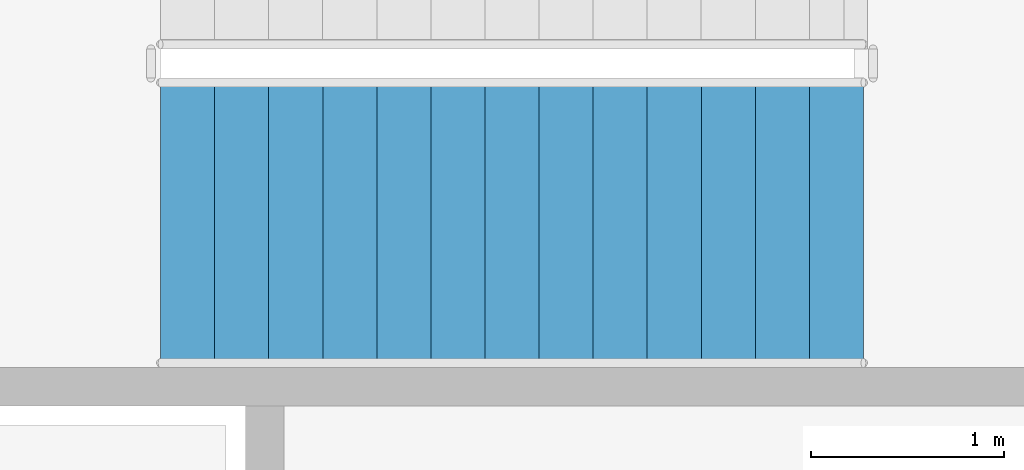
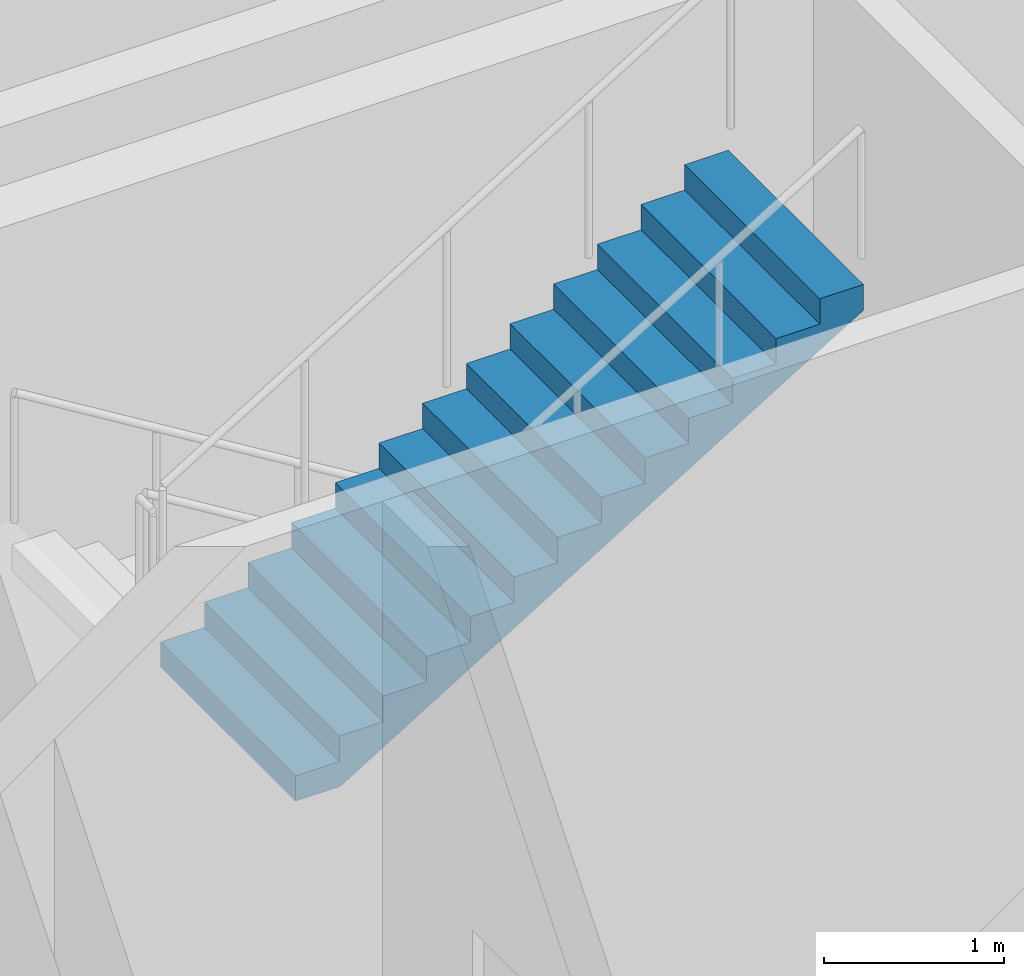
# One storey, part 57 of 91: 1 stair flight, 1 element without a shape of its own.
"""IFC4 building model written with IfcOpenShell, lengths in metres."""

from ifc_helpers import new_model, si_unit, direction, frame, origin, place, context, subcontext, project, spatial, triangles, material, type_object, element, aggregate, save


model = new_model("IFC4")

# Units and contexts
model_context = context("Model", 3, precision=1e-05, world=origin(), true_north=direction((0.0, 1.0)))
body_context = subcontext(model_context, "Body", "Model", "MODEL_VIEW")
ifc_project = project(units=[si_unit("LENGTHUNIT", "METRE"), si_unit("AREAUNIT", "SQUARE_METRE"), si_unit("VOLUMEUNIT", "CUBIC_METRE"), si_unit("PLANEANGLEUNIT", "RADIAN"), si_unit("MASSUNIT", "GRAM", prefix="KILO")], contexts=[model_context])

# Site, building, storey
site_placement = place(None, origin())
site = spatial("IfcSite", under=ifc_project, at=site_placement, CompositionType="ELEMENT")
building_placement = place(site_placement, origin())
building = spatial("IfcBuilding", under=site, at=building_placement, Name="Magnolia Steps Interchange", CompositionType="ELEMENT")
storey_placement = place(building_placement, origin())
storey = spatial("IfcBuildingStorey", under=building, at=storey_placement, Name="L00", CompositionType="ELEMENT", Elevation=0.0)

# Stair, stair flight
ifc_material_1 = material(Name="Concrete C40", Category="concrete")
stair_type = type_object("IfcStairType", Name="Exit stair 1500", PredefinedType="HALF_TURN_STAIR", material=ifc_material_1)
stair_placement = place(storey_placement, origin())
stair = element("IfcStair", 1, at=stair_placement, inside=storey, type_object=stair_type, Name="L00 Stair 6", PredefinedType="HALF_TURN_STAIR")
ifc_material_2 = material(Name="Concrete C40", Category="concrete")
stair_flight_type = type_object("IfcStairFlightType", Name="Exit stair flight", PredefinedType="STRAIGHT", material=ifc_material_2)
stair_flight_placement = place(storey_placement, frame((55.360107421875, 50.300048828125, 2.39990234375), z_axis=(0.0, 0.0, 1.0), x_axis=(1.0, 0.0, 0.0)))
stair_flight = element("IfcStairFlight", 2, at=stair_flight_placement, type_object=stair_flight_type, Name="Stair 6 flight 2", NumberOfRisers=14, NumberOfTreads=13, PredefinedType="STRAIGHT", RiserHeight=0.171428571, TreadLength=0.28, context=body_context, shape_type="Tessellation", body=[
    triangles([(0.0, -0.75, 0.0), (0.287109375, -0.75, 0.0), (3.639892578125, -0.75, 2.052734375), (3.639892578125, -0.75, 2.228515625), (3.360107421875, -0.75, 2.228515625), (3.360107421875, -0.75, 2.05712890625), (3.080078125, -0.75, 2.05712890625), (3.080078125, -0.75, 1.8857421875), (2.800048828125, -0.75, 1.8857421875), (2.800048828125, -0.75, 1.71435546875), (2.52001953125, -0.75, 1.71435546875), (2.52001953125, -0.75, 1.54296875), (2.239990234375, -0.75, 1.54296875), (2.239990234375, -0.75, 1.371337890625), (1.9599609375, -0.75, 1.371337890625), (1.9599609375, -0.75, 1.199951171875), (1.679931640625, -0.75, 1.199951171875), (1.679931640625, -0.75, 1.028564453125), (1.39990234375, -0.75, 1.028564453125), (1.39990234375, -0.75, 0.857177734375), (1.1201171875, -0.75, 0.857177734375), (1.1201171875, -0.75, 0.685791015625), (0.840087890625, -0.75, 0.685791015625), (0.840087890625, -0.75, 0.514404296875), (0.56005859375, -0.75, 0.514404296875), (0.56005859375, -0.75, 0.3427734375), (0.280029296875, -0.75, 0.3427734375), (0.280029296875, -0.75, 0.17138671875), (0.0, -0.75, 0.17138671875), (0.0, 0.75, 0.0), (0.287109375, 0.75, 0.0), (3.639892578125, 0.75, 2.052734375), (3.639892578125, 0.75, 2.228515625), (3.360107421875, 0.75, 2.228515625), (3.360107421875, 0.75, 2.05712890625), (3.080078125, 0.75, 2.05712890625), (3.080078125, 0.75, 1.8857421875), (2.800048828125, 0.75, 1.8857421875), (2.800048828125, 0.75, 1.71435546875), (2.52001953125, 0.75, 1.71435546875), (2.52001953125, 0.75, 1.54296875), (2.239990234375, 0.75, 1.54296875), (2.239990234375, 0.75, 1.371337890625), (1.9599609375, 0.75, 1.371337890625), (1.9599609375, 0.75, 1.199951171875), (1.679931640625, 0.75, 1.199951171875), (1.679931640625, 0.75, 1.028564453125), (1.39990234375, 0.75, 1.028564453125), (1.39990234375, 0.75, 0.857177734375), (1.1201171875, 0.75, 0.857177734375), (1.1201171875, 0.75, 0.685791015625), (0.840087890625, 0.75, 0.685791015625), (0.840087890625, 0.75, 0.514404296875), (0.56005859375, 0.75, 0.514404296875), (0.56005859375, 0.75, 0.3427734375), (0.280029296875, 0.75, 0.3427734375), (0.280029296875, 0.75, 0.17138671875), (0.0, 0.75, 0.17138671875), (0.0, 0.0, 0.0), (0.0, 0.0, 0.0428466796875), (0.0, 0.0, 0.085693359375), (0.0, 0.0, 0.1285400390625), (0.0, 0.0, 0.17138671875), (0.0, -0.05, 0.0), (0.0, -0.05, 0.17138671875), (0.0, 0.05, 0.0), (0.0, 0.05, 0.17138671875), (0.046671549479166664, 0.0, 0.17138671875), (0.09334309895833333, 0.0, 0.17138671875), (0.1400146484375, 0.0, 0.17138671875), (0.18668619791666666, 0.0, 0.17138671875), (0.23335774739583334, 0.0, 0.17138671875), (0.280029296875, 0.0, 0.17138671875), (0.280029296875, -0.05, 0.17138671875), (0.280029296875, 0.05, 0.17138671875), (0.280029296875, 0.0, 0.2142333984375), (0.280029296875, 0.0, 0.257080078125), (0.280029296875, 0.0, 0.2999267578125), (0.280029296875, 0.0, 0.3427734375), (0.280029296875, -0.05, 0.3427734375), (0.280029296875, 0.05, 0.3427734375), (0.3267008463541667, 0.0, 0.3427734375), (0.3733723958333333, 0.0, 0.3427734375), (0.4200439453125, 0.0, 0.3427734375), (0.46671549479166663, 0.0, 0.3427734375), (0.5133870442708334, 0.0, 0.3427734375), (0.56005859375, 0.0, 0.3427734375), (0.56005859375, -0.05, 0.3427734375), (0.56005859375, 0.05, 0.3427734375), (0.56005859375, 0.0, 0.38568115234375), (0.56005859375, 0.0, 0.4285888671875), (0.56005859375, 0.0, 0.47149658203125), (0.56005859375, 0.0, 0.514404296875), (0.56005859375, -0.05, 0.514404296875), (0.56005859375, 0.05, 0.514404296875), (0.6067301432291666, 0.0, 0.514404296875), (0.6534016927083334, 0.0, 0.514404296875), (0.7000732421875, 0.0, 0.514404296875), (0.7467447916666666, 0.0, 0.514404296875), (0.7934163411458334, 0.0, 0.514404296875), (0.840087890625, 0.0, 0.514404296875), (0.840087890625, -0.05, 0.514404296875), (0.840087890625, 0.05, 0.514404296875), (0.840087890625, 0.0, 0.5572509765625), (0.840087890625, 0.0, 0.60009765625), (0.840087890625, 0.0, 0.6429443359375), (0.840087890625, 0.0, 0.685791015625), (0.840087890625, -0.05, 0.685791015625), (0.840087890625, 0.05, 0.685791015625), (0.8867594401041666, 0.0, 0.685791015625), (0.9334309895833334, 0.0, 0.685791015625), (0.9801025390625, 0.0, 0.685791015625), (1.0267740885416667, 0.0, 0.685791015625), (1.0734456380208333, 0.0, 0.685791015625), (1.1201171875, 0.0, 0.685791015625), (1.1201171875, -0.05, 0.685791015625), (1.1201171875, 0.05, 0.685791015625), (1.1201171875, 0.0, 0.7286376953125), (1.1201171875, 0.0, 0.771484375), (1.1201171875, 0.0, 0.8143310546875), (1.1201171875, 0.0, 0.857177734375), (1.1201171875, -0.05, 0.857177734375), (1.1201171875, 0.05, 0.857177734375), (1.1900634765625, 0.0, 0.857177734375), (1.260009765625, 0.0, 0.857177734375), (1.3299560546875, 0.0, 0.857177734375), (1.39990234375, 0.0, 0.857177734375), (1.39990234375, -0.05, 0.857177734375), (1.39990234375, 0.05, 0.857177734375), (1.39990234375, 0.0, 0.9000244140625), (1.39990234375, 0.0, 0.94287109375), (1.39990234375, 0.0, 0.9857177734375), (1.39990234375, 0.0, 1.028564453125), (1.39990234375, -0.05, 1.028564453125), (1.39990234375, 0.05, 1.028564453125), (1.4465738932291667, 0.0, 1.028564453125), (1.4932454427083333, 0.0, 1.028564453125), (1.5399169921875, 0.0, 1.028564453125), (1.5865885416666667, 0.0, 1.028564453125), (1.6332600911458333, 0.0, 1.028564453125), (1.679931640625, 0.0, 1.028564453125), (1.679931640625, -0.05, 1.028564453125), (1.679931640625, 0.05, 1.028564453125), (1.679931640625, 0.0, 1.0714111328125), (1.679931640625, 0.0, 1.1142578125), (1.679931640625, 0.0, 1.1571044921875), (1.679931640625, 0.0, 1.199951171875), (1.679931640625, -0.05, 1.199951171875), (1.679931640625, 0.05, 1.199951171875), (1.7266031901041667, 0.0, 1.199951171875), (1.7732747395833333, 0.0, 1.199951171875), (1.8199462890625, 0.0, 1.199951171875), (1.8666178385416667, 0.0, 1.199951171875), (1.9132893880208333, 0.0, 1.199951171875), (1.9599609375, 0.0, 1.199951171875), (1.9599609375, -0.05, 1.199951171875), (1.9599609375, 0.05, 1.199951171875), (1.9599609375, 0.0, 1.2427978515625), (1.9599609375, 0.0, 1.28564453125), (1.9599609375, 0.0, 1.3284912109375), (1.9599609375, 0.0, 1.371337890625), (1.9599609375, -0.05, 1.371337890625), (1.9599609375, 0.05, 1.371337890625), (2.0066324869791665, 0.0, 1.371337890625), (2.0533040364583335, 0.0, 1.371337890625), (2.0999755859375, 0.0, 1.371337890625), (2.1466471354166665, 0.0, 1.371337890625), (2.1933186848958335, 0.0, 1.371337890625), (2.239990234375, 0.0, 1.371337890625), (2.239990234375, -0.05, 1.371337890625), (2.239990234375, 0.05, 1.371337890625), (2.239990234375, 0.0, 1.41424560546875), (2.239990234375, 0.0, 1.4571533203125), (2.239990234375, 0.0, 1.50006103515625), (2.239990234375, 0.0, 1.54296875), (2.239990234375, -0.05, 1.54296875), (2.239990234375, 0.05, 1.54296875), (2.2866617838541665, 0.0, 1.54296875), (2.3333333333333335, 0.0, 1.54296875), (2.3800048828125, 0.0, 1.54296875), (2.4266764322916665, 0.0, 1.54296875), (2.4733479817708335, 0.0, 1.54296875), (2.52001953125, 0.0, 1.54296875), (2.52001953125, -0.05, 1.54296875), (2.52001953125, 0.05, 1.54296875), (2.52001953125, 0.0, 1.5858154296875), (2.52001953125, 0.0, 1.628662109375), (2.52001953125, 0.0, 1.6715087890625), (2.52001953125, 0.0, 1.71435546875), (2.52001953125, -0.05, 1.71435546875), (2.52001953125, 0.05, 1.71435546875), (2.5666910807291665, 0.0, 1.71435546875), (2.6133626302083335, 0.0, 1.71435546875), (2.6600341796875, 0.0, 1.71435546875), (2.7067057291666665, 0.0, 1.71435546875), (2.7533772786458335, 0.0, 1.71435546875), (2.800048828125, 0.0, 1.71435546875), (2.800048828125, -0.05, 1.71435546875), (2.800048828125, 0.05, 1.71435546875), (2.800048828125, 0.0, 1.7572021484375), (2.800048828125, 0.0, 1.800048828125), (2.800048828125, 0.0, 1.8428955078125), (2.800048828125, 0.0, 1.8857421875), (2.800048828125, -0.05, 1.8857421875), (2.800048828125, 0.05, 1.8857421875), (2.8467203776041665, 0.0, 1.8857421875), (2.8933919270833335, 0.0, 1.8857421875), (2.9400634765625, 0.0, 1.8857421875), (2.9867350260416665, 0.0, 1.8857421875), (3.0334065755208335, 0.0, 1.8857421875), (3.080078125, 0.0, 1.8857421875), (3.080078125, -0.05, 1.8857421875), (3.080078125, 0.05, 1.8857421875), (3.080078125, 0.0, 1.9285888671875), (3.080078125, 0.0, 1.971435546875), (3.080078125, 0.0, 2.0142822265625), (3.080078125, 0.0, 2.05712890625), (3.080078125, -0.05, 2.05712890625), (3.080078125, 0.05, 2.05712890625), (3.1267496744791665, 0.0, 2.05712890625), (3.1734212239583335, 0.0, 2.05712890625), (3.2200927734375, 0.0, 2.05712890625), (3.2667643229166665, 0.0, 2.05712890625), (3.3134358723958335, 0.0, 2.05712890625), (3.360107421875, 0.0, 2.05712890625), (3.360107421875, -0.05, 2.05712890625), (3.360107421875, 0.05, 2.05712890625), (3.360107421875, 0.0, 2.0999755859375), (3.360107421875, 0.0, 2.142822265625), (3.360107421875, 0.0, 2.1856689453125), (3.360107421875, 0.0, 2.228515625), (3.360107421875, -0.05, 2.228515625), (3.360107421875, 0.05, 2.228515625), (3.4300537109375, 0.0, 2.228515625), (3.5, 0.0, 2.228515625), (3.5699462890625, 0.0, 2.228515625), (3.639892578125, 0.0, 2.228515625), (3.639892578125, -0.05, 2.228515625), (3.639892578125, 0.05, 2.228515625), (3.639892578125, 0.0, 2.1845703125), (3.639892578125, 0.0, 2.140625), (3.639892578125, 0.0, 2.0966796875), (3.639892578125, 0.0, 2.052734375), (3.639892578125, -0.05, 2.052734375), (3.639892578125, 0.05, 2.052734375), (3.582085971174569, 0.0, 2.0173424030172415), (3.524279364224138, 0.0, 1.9819504310344827), (3.466472757273707, 0.0, 1.9465584590517242), (3.408666150323276, 0.0, 1.9111664870689655), (3.3508595433728448, 0.0, 1.8757745150862069), (3.2930529364224137, 0.0, 1.8403825431034484), (3.2352463294719827, 0.0, 1.8049905711206897), (3.1774397225215516, 0.0, 1.769598599137931), (3.1196331155711206, 0.0, 1.7342066271551724), (3.0618265086206895, 0.0, 1.6988146551724137), (3.004019901670259, 0.0, 1.6634226831896552), (2.9462132947198274, 0.0, 1.6280307112068966), (2.888406687769397, 0.0, 1.592638739224138), (2.8306000808189653, 0.0, 1.5572467672413794), (2.7727934738685347, 0.0, 1.5218547952586206), (2.714986866918103, 0.0, 1.486462823275862), (2.6571802599676726, 0.0, 1.4510708512931034), (2.599373653017241, 0.0, 1.4156788793103448), (2.5415670460668105, 0.0, 1.3802869073275863), (2.483760439116379, 0.0, 1.3448949353448276), (2.4259538321659484, 0.0, 1.309502963362069), (2.3681472252155173, 0.0, 1.2741109913793105), (2.3103406182650863, 0.0, 1.2387190193965516), (2.2525340113146552, 0.0, 1.2033270474137931), (2.194727404364224, 0.0, 1.1679350754310345), (2.136920797413793, 0.0, 1.1325431034482758), (2.079114190463362, 0.0, 1.0971511314655173), (2.021307583512931, 0.0, 1.0617591594827587), (1.9635009765625, 0.0, 1.0263671875), (1.905694369612069, 0.0, 0.9909752155172413), (1.847887762661638, 0.0, 0.9555832435344827), (1.7900811557112069, 0.0, 0.9201912715517242), (1.7322745487607758, 0.0, 0.8847992995689655), (1.6744679418103448, 0.0, 0.8494073275862069), (1.6166613348599137, 0.0, 0.8140153556034482), (1.5588547279094827, 0.0, 0.7786233836206897), (1.5010481209590516, 0.0, 0.743231411637931), (1.4432415140086206, 0.0, 0.7078394396551724), (1.3854349070581895, 0.0, 0.6724474676724137), (1.3276283001077585, 0.0, 0.6370554956896552), (1.2698216931573274, 0.0, 0.6016635237068966), (1.2120150862068964, 0.0, 0.5662715517241379), (1.1542084792564653, 0.0, 0.5308795797413792), (1.0964018723060347, 0.0, 0.4954876077586208), (1.0385952653556036, 0.0, 0.4600956357758621), (0.9807886584051726, 0.0, 0.4247036637931034), (0.9229820514547415, 0.0, 0.38931169181034475), (0.8651754445043105, 0.0, 0.3539197198275863), (0.8073688375538794, 0.0, 0.3185277478448276), (0.7495622306034484, 0.0, 0.28313577586206895), (0.6917556236530173, 0.0, 0.24774380387931028), (0.6339490167025863, 0.0, 0.21235183189655182), (0.5761424097521552, 0.0, 0.17695985991379315), (0.5183358028017242, 0.0, 0.14156788793103448), (0.46052919585129315, 0.0, 0.1061759159482758), (0.4027225889008621, 0.0, 0.07078394396551735), (0.34491598195043105, 0.0, 0.03539197198275845), (0.287109375, 0.0, 0.0), (0.287109375, -0.05, 0.0), (0.287109375, 0.05, 0.0), (0.2392578125, 0.0, 0.0), (0.19140625, 0.0, 0.0), (0.1435546875, 0.0, 0.0), (0.095703125, 0.0, 0.0), (0.0478515625, 0.0, 0.0)], [[1, 2, 3], [3, 4, 5], [3, 5, 6], [3, 6, 7], [3, 7, 8], [8, 9, 10], [3, 8, 10], [10, 11, 12], [3, 10, 12], [12, 13, 14], [3, 12, 14], [14, 15, 16], [3, 14, 16], [16, 17, 18], [3, 16, 18], [18, 19, 20], [3, 18, 20], [20, 21, 22], [3, 20, 22], [22, 23, 24], [3, 22, 24], [24, 25, 26], [3, 24, 26], [26, 27, 28], [3, 26, 28], [1, 3, 28], [28, 29, 1], [30, 32, 31], [32, 34, 33], [32, 35, 34], [32, 36, 35], [32, 37, 36], [37, 39, 38], [32, 39, 37], [39, 41, 40], [32, 41, 39], [41, 43, 42], [32, 43, 41], [43, 45, 44], [32, 45, 43], [45, 47, 46], [32, 47, 45], [47, 49, 48], [32, 49, 47], [49, 51, 50], [32, 51, 49], [51, 53, 52], [32, 53, 51], [53, 55, 54], [32, 55, 53], [55, 57, 56], [32, 57, 55], [30, 57, 32], [57, 30, 58], [1, 29, 65], [1, 65, 64], [64, 60, 59], [64, 61, 60], [64, 65, 61], [65, 62, 61], [65, 63, 62], [30, 67, 58], [30, 66, 67], [66, 59, 60], [66, 60, 61], [66, 61, 67], [67, 61, 62], [67, 62, 63], [29, 28, 74], [29, 74, 65], [65, 68, 63], [65, 69, 68], [65, 70, 69], [65, 74, 70], [74, 71, 70], [74, 72, 71], [74, 73, 72], [58, 75, 57], [58, 67, 75], [67, 63, 68], [67, 68, 69], [67, 69, 70], [67, 70, 75], [75, 70, 71], [75, 71, 72], [75, 72, 73], [28, 27, 80], [28, 80, 74], [74, 76, 73], [74, 77, 76], [74, 80, 77], [80, 78, 77], [80, 79, 78], [57, 81, 56], [57, 75, 81], [75, 73, 76], [75, 76, 77], [75, 77, 81], [81, 77, 78], [81, 78, 79], [27, 26, 88], [27, 88, 80], [80, 82, 79], [80, 83, 82], [80, 84, 83], [80, 88, 84], [88, 85, 84], [88, 86, 85], [88, 87, 86], [56, 89, 55], [56, 81, 89], [81, 79, 82], [81, 82, 83], [81, 83, 84], [81, 84, 89], [89, 84, 85], [89, 85, 86], [89, 86, 87], [26, 25, 94], [26, 94, 88], [88, 90, 87], [88, 91, 90], [88, 94, 91], [94, 92, 91], [94, 93, 92], [55, 95, 54], [55, 89, 95], [89, 87, 90], [89, 90, 91], [89, 91, 95], [95, 91, 92], [95, 92, 93], [25, 24, 102], [25, 102, 94], [94, 96, 93], [94, 97, 96], [94, 98, 97], [94, 102, 98], [102, 99, 98], [102, 100, 99], [102, 101, 100], [54, 103, 53], [54, 95, 103], [95, 93, 96], [95, 96, 97], [95, 97, 98], [95, 98, 103], [103, 98, 99], [103, 99, 100], [103, 100, 101], [24, 23, 108], [24, 108, 102], [102, 104, 101], [102, 105, 104], [102, 108, 105], [108, 106, 105], [108, 107, 106], [53, 109, 52], [53, 103, 109], [103, 101, 104], [103, 104, 105], [103, 105, 109], [109, 105, 106], [109, 106, 107], [23, 22, 116], [23, 116, 108], [108, 110, 107], [108, 111, 110], [108, 112, 111], [108, 116, 112], [116, 113, 112], [116, 114, 113], [116, 115, 114], [52, 117, 51], [52, 109, 117], [109, 107, 110], [109, 110, 111], [109, 111, 112], [109, 112, 117], [117, 112, 113], [117, 113, 114], [117, 114, 115], [22, 21, 122], [22, 122, 116], [116, 118, 115], [116, 119, 118], [116, 122, 119], [122, 120, 119], [122, 121, 120], [51, 123, 50], [51, 117, 123], [117, 115, 118], [117, 118, 119], [117, 119, 123], [123, 119, 120], [123, 120, 121], [21, 20, 128], [21, 128, 122], [122, 124, 121], [122, 125, 124], [122, 128, 125], [128, 126, 125], [128, 127, 126], [50, 129, 49], [50, 123, 129], [123, 121, 124], [123, 124, 125], [123, 125, 129], [129, 125, 126], [129, 126, 127], [20, 19, 134], [20, 134, 128], [128, 130, 127], [128, 131, 130], [128, 134, 131], [134, 132, 131], [134, 133, 132], [49, 135, 48], [49, 129, 135], [129, 127, 130], [129, 130, 131], [129, 131, 135], [135, 131, 132], [135, 132, 133], [19, 18, 142], [19, 142, 134], [134, 136, 133], [134, 137, 136], [134, 138, 137], [134, 142, 138], [142, 139, 138], [142, 140, 139], [142, 141, 140], [48, 143, 47], [48, 135, 143], [135, 133, 136], [135, 136, 137], [135, 137, 138], [135, 138, 143], [143, 138, 139], [143, 139, 140], [143, 140, 141], [18, 17, 148], [18, 148, 142], [142, 144, 141], [142, 145, 144], [142, 148, 145], [148, 146, 145], [148, 147, 146], [47, 149, 46], [47, 143, 149], [143, 141, 144], [143, 144, 145], [143, 145, 149], [149, 145, 146], [149, 146, 147], [17, 16, 156], [17, 156, 148], [148, 150, 147], [148, 151, 150], [148, 152, 151], [148, 156, 152], [156, 153, 152], [156, 154, 153], [156, 155, 154], [46, 157, 45], [46, 149, 157], [149, 147, 150], [149, 150, 151], [149, 151, 152], [149, 152, 157], [157, 152, 153], [157, 153, 154], [157, 154, 155], [16, 15, 162], [16, 162, 156], [156, 158, 155], [156, 159, 158], [156, 162, 159], [162, 160, 159], [162, 161, 160], [45, 163, 44], [45, 157, 163], [157, 155, 158], [157, 158, 159], [157, 159, 163], [163, 159, 160], [163, 160, 161], [15, 14, 170], [15, 170, 162], [162, 164, 161], [162, 165, 164], [162, 166, 165], [162, 170, 166], [170, 167, 166], [170, 168, 167], [170, 169, 168], [44, 171, 43], [44, 163, 171], [163, 161, 164], [163, 164, 165], [163, 165, 166], [163, 166, 171], [171, 166, 167], [171, 167, 168], [171, 168, 169], [14, 13, 176], [14, 176, 170], [170, 172, 169], [170, 173, 172], [170, 176, 173], [176, 174, 173], [176, 175, 174], [43, 177, 42], [43, 171, 177], [171, 169, 172], [171, 172, 173], [171, 173, 177], [177, 173, 174], [177, 174, 175], [13, 12, 184], [13, 184, 176], [176, 178, 175], [176, 179, 178], [176, 180, 179], [176, 184, 180], [184, 181, 180], [184, 182, 181], [184, 183, 182], [42, 185, 41], [42, 177, 185], [177, 175, 178], [177, 178, 179], [177, 179, 180], [177, 180, 185], [185, 180, 181], [185, 181, 182], [185, 182, 183], [12, 11, 190], [12, 190, 184], [184, 186, 183], [184, 187, 186], [184, 190, 187], [190, 188, 187], [190, 189, 188], [41, 191, 40], [41, 185, 191], [185, 183, 186], [185, 186, 187], [185, 187, 191], [191, 187, 188], [191, 188, 189], [11, 10, 198], [11, 198, 190], [190, 192, 189], [190, 193, 192], [190, 194, 193], [190, 198, 194], [198, 195, 194], [198, 196, 195], [198, 197, 196], [40, 199, 39], [40, 191, 199], [191, 189, 192], [191, 192, 193], [191, 193, 194], [191, 194, 199], [199, 194, 195], [199, 195, 196], [199, 196, 197], [10, 9, 204], [10, 204, 198], [198, 200, 197], [198, 201, 200], [198, 204, 201], [204, 202, 201], [204, 203, 202], [39, 205, 38], [39, 199, 205], [199, 197, 200], [199, 200, 201], [199, 201, 205], [205, 201, 202], [205, 202, 203], [9, 8, 212], [9, 212, 204], [204, 206, 203], [204, 207, 206], [204, 208, 207], [204, 212, 208], [212, 209, 208], [212, 210, 209], [212, 211, 210], [38, 213, 37], [38, 205, 213], [205, 203, 206], [205, 206, 207], [205, 207, 208], [205, 208, 213], [213, 208, 209], [213, 209, 210], [213, 210, 211], [8, 7, 218], [8, 218, 212], [212, 214, 211], [212, 215, 214], [212, 218, 215], [218, 216, 215], [218, 217, 216], [37, 219, 36], [37, 213, 219], [213, 211, 214], [213, 214, 215], [213, 215, 219], [219, 215, 216], [219, 216, 217], [7, 6, 226], [7, 226, 218], [218, 220, 217], [218, 221, 220], [218, 222, 221], [218, 226, 222], [226, 223, 222], [226, 224, 223], [226, 225, 224], [36, 227, 35], [36, 219, 227], [219, 217, 220], [219, 220, 221], [219, 221, 222], [219, 222, 227], [227, 222, 223], [227, 223, 224], [227, 224, 225], [6, 5, 232], [6, 232, 226], [226, 228, 225], [226, 229, 228], [226, 232, 229], [232, 230, 229], [232, 231, 230], [35, 233, 34], [35, 227, 233], [227, 225, 228], [227, 228, 229], [227, 229, 233], [233, 229, 230], [233, 230, 231], [5, 4, 238], [5, 238, 232], [232, 234, 231], [232, 235, 234], [232, 238, 235], [238, 236, 235], [238, 237, 236], [34, 239, 33], [34, 233, 239], [233, 231, 234], [233, 234, 235], [233, 235, 239], [239, 235, 236], [239, 236, 237], [4, 3, 244], [4, 244, 238], [238, 240, 237], [238, 241, 240], [238, 244, 241], [244, 242, 241], [244, 243, 242], [33, 245, 32], [33, 239, 245], [239, 237, 240], [239, 240, 241], [239, 241, 245], [245, 241, 242], [245, 242, 243], [3, 2, 304], [3, 304, 244], [244, 246, 243], [244, 247, 246], [244, 248, 247], [244, 249, 248], [244, 250, 249], [244, 251, 250], [244, 252, 251], [244, 253, 252], [244, 254, 253], [244, 255, 254], [244, 256, 255], [244, 257, 256], [244, 258, 257], [244, 259, 258], [244, 260, 259], [244, 261, 260], [244, 262, 261], [244, 263, 262], [244, 264, 263], [244, 265, 264], [244, 266, 265], [244, 267, 266], [244, 268, 267], [244, 269, 268], [244, 270, 269], [244, 271, 270], [244, 272, 271], [244, 273, 272], [244, 274, 273], [244, 304, 274], [304, 275, 274], [304, 276, 275], [304, 277, 276], [304, 278, 277], [304, 279, 278], [304, 280, 279], [304, 281, 280], [304, 282, 281], [304, 283, 282], [304, 284, 283], [304, 285, 284], [304, 286, 285], [304, 287, 286], [304, 288, 287], [304, 289, 288], [304, 290, 289], [304, 291, 290], [304, 292, 291], [304, 293, 292], [304, 294, 293], [304, 295, 294], [304, 296, 295], [304, 297, 296], [304, 298, 297], [304, 299, 298], [304, 300, 299], [304, 301, 300], [304, 302, 301], [304, 303, 302], [32, 305, 31], [32, 245, 305], [245, 243, 246], [245, 246, 247], [245, 247, 248], [245, 248, 249], [245, 249, 250], [245, 250, 251], [245, 251, 252], [245, 252, 253], [245, 253, 254], [245, 254, 255], [245, 255, 256], [245, 256, 257], [245, 257, 258], [245, 258, 259], [245, 259, 260], [245, 260, 261], [245, 261, 262], [245, 262, 263], [245, 263, 264], [245, 264, 265], [245, 265, 266], [245, 266, 267], [245, 267, 268], [245, 268, 269], [245, 269, 270], [245, 270, 271], [245, 271, 272], [245, 272, 273], [245, 273, 274], [245, 274, 305], [305, 274, 275], [305, 275, 276], [305, 276, 277], [305, 277, 278], [305, 278, 279], [305, 279, 280], [305, 280, 281], [305, 281, 282], [305, 282, 283], [305, 283, 284], [305, 284, 285], [305, 285, 286], [305, 286, 287], [305, 287, 288], [305, 288, 289], [305, 289, 290], [305, 290, 291], [305, 291, 292], [305, 292, 293], [305, 293, 294], [305, 294, 295], [305, 295, 296], [305, 296, 297], [305, 297, 298], [305, 298, 299], [305, 299, 300], [305, 300, 301], [305, 301, 302], [305, 302, 303], [2, 1, 64], [2, 64, 304], [304, 306, 303], [304, 307, 306], [304, 308, 307], [304, 64, 308], [64, 309, 308], [64, 310, 309], [64, 59, 310], [31, 66, 30], [31, 305, 66], [305, 303, 306], [305, 306, 307], [305, 307, 308], [305, 308, 66], [66, 308, 309], [66, 309, 310], [66, 310, 59]], closed=True),
])
aggregate(stair, [stair_flight])

save(model, "model.ifc")
